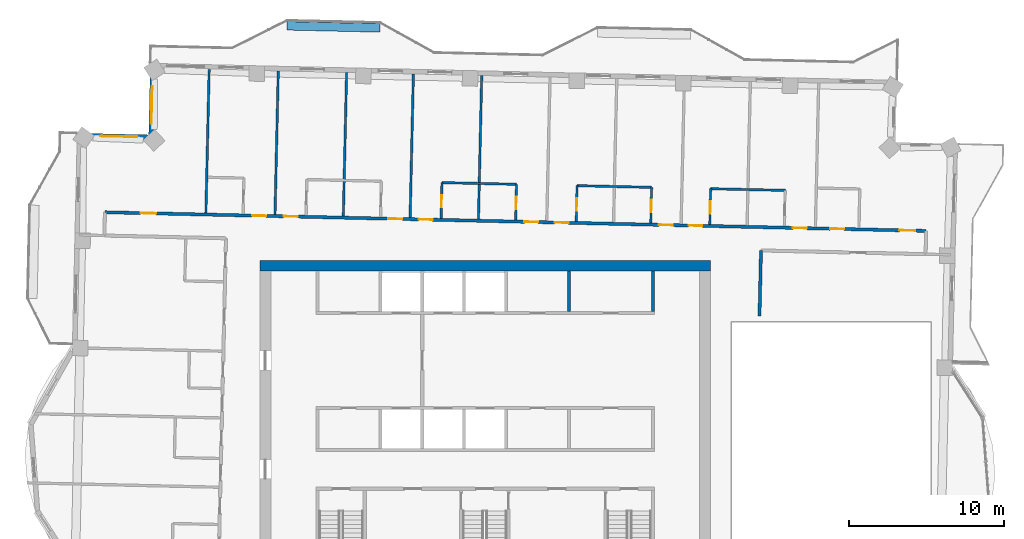
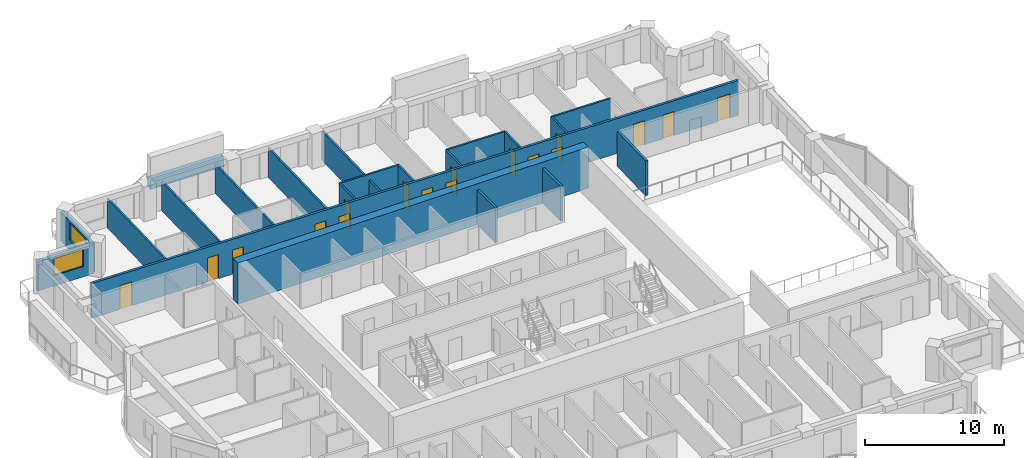
# One storey, part 11 of 17: 21 walls, 17 doors, 2 windows, 19 openings.
"""IFC4 building model written with IfcOpenShell, lengths in metres."""

from ifc_helpers import new_model, si_unit, direction, frame, frame_2d, origin, place, context, subcontext, project, spatial, rectangle, extrude, material, layer, layer_set, type_object, element, fill, save


model = new_model("IFC4")

# Units and contexts
model_context = context("Model", 3, precision=1e-05, world=origin(), true_north=direction((0.0, 1.0)))
body_context = subcontext(model_context, "Body", "Model", "MODEL_VIEW")
ifc_project = project(units=[si_unit("LENGTHUNIT", "METRE"), si_unit("AREAUNIT", "SQUARE_METRE"), si_unit("VOLUMEUNIT", "CUBIC_METRE"), si_unit("PLANEANGLEUNIT", "RADIAN"), si_unit("MASSUNIT", "GRAM", prefix="KILO")], contexts=[model_context])

# Site, building, storey
site_placement = place(None, origin())
site = spatial("IfcSite", under=ifc_project, at=site_placement, CompositionType="ELEMENT")
building_placement = place(site_placement, origin())
building = spatial("IfcBuilding", under=site, at=building_placement, Name="Mangrove Gate Tower", CompositionType="ELEMENT")
storey_placement = place(building_placement, frame((0.0, 0.0, 268.10009765625)))
storey = spatial("IfcBuildingStorey", under=building, at=storey_placement, Name="L68", CompositionType="ELEMENT", Elevation=268.10009765625)

# Walls
ifc_material_1 = material(Name="Concrete C32/40", Category="concrete")
ifc_layer_1 = layer(ifc_material_1, 0.199951171875)
ifc_layer_set_1 = layer_set([ifc_layer_1], Name="Core room wall 200 C32/40")
wall_type_1 = type_object("IfcWallType", Name="Core room wall 200 C32/40", PredefinedType="STANDARD", material=ifc_layer_set_1)
for number, where, z_axis, x_axis, name in (
    (1, (5.39990234375, 8.199951171875, 0.0), (0.0, 0.0, 1.0), (0.0, 1.0, 0.0), "WALL-L68-CORE-31"),
    (2, (10.800048828125, 8.199951171875, 0.0), (0.0, 0.0, 1.0), (0.0, 1.0, 0.0), "WALL-L68-CORE-32"),
):
    element("IfcWall", number, at=place(storey_placement, frame(where, z_axis=z_axis, x_axis=x_axis)), inside=storey, type_object=wall_type_1, Name=name, PredefinedType="STANDARD", context=body_context, shape_type="SweptSolid", body=[
        extrude(rectangle(XDim=2.60009765625, YDim=0.199951171875, at=frame_2d((1.300048828125, 0.0))), origin(), (0.0, 0.0, 1.0), 3.0498046875),
    ])
ifc_material_2 = material(Name="Concrete C50/60", Category="concrete")
ifc_layer_2 = layer(ifc_material_2, 0.699951171875)
ifc_layer_set_2 = layer_set([ifc_layer_2], Name="Core wall 700 C50/60")
wall_type_2 = type_object("IfcWallType", Name="Core wall 700 C50/60", PredefinedType="SHEAR", material=ifc_layer_set_2)
wall_1_placement = place(storey_placement, frame((-14.5, 11.14990234375, 0.0), z_axis=(0.0, 0.0, 1.0), x_axis=(1.0, 0.0, 0.0)))
element("IfcWall", 3, at=wall_1_placement, inside=storey, type_object=wall_type_2, Name="WALL-L68-CORE-2", PredefinedType="SHEAR", context=body_context, shape_type="SweptSolid", body=[
    extrude(rectangle(XDim=29.0, YDim=0.699951171875, at=frame_2d((14.5, 0.0))), origin(), (0.0, 0.0, 1.0), 3.599853515625),
])
ifc_material_3 = material(Name="Gypsum board on steel stud, EI 60", Category="steel")
ifc_layer_3 = layer(ifc_material_3, 0.199951171875)
ifc_layer_set_3 = layer_set([ifc_layer_3], Name="Corridor wall EI 60")
wall_type_3 = type_object("IfcWallType", Name="Corridor wall EI 60", PredefinedType="PARTITIONING", material=ifc_layer_set_3)
wall_2_placement = place(storey_placement, frame((17.660888671875, 7.904052734375, 0.0), z_axis=(0.0, 0.0, 1.0), x_axis=(0.022718785711, 0.999741895079, 0.0)))
element("IfcWall", 4, at=wall_2_placement, inside=storey, type_object=wall_type_3, Name="WALL-L68-047", PredefinedType="PARTITIONING", context=body_context, shape_type="SweptSolid", body=[
    extrude(rectangle(XDim=4.23388671875, YDim=0.199951171875, at=frame_2d((2.116943359375, 0.0))), origin(), (0.0, 0.0, 1.0), 3.0498046875),
])

# Wall, openings, doors
wall_3_placement = place(storey_placement, frame((-24.47412109375, 14.595947265625, 0.0), z_axis=(0.0, 0.0, 1.0), x_axis=(0.999742424031, -0.022695497208, 0.0)))
wall_3 = element("IfcWall", 5, at=wall_3_placement, inside=storey, type_object=wall_type_3, Name="WALL-L68-056", PredefinedType="PARTITIONING", context=body_context, shape_type="SweptSolid", body=[
    extrude(rectangle(XDim=52.871826171875, YDim=0.199951171875, at=frame_2d((26.43603515625, 0.0))), origin(), (0.0, 0.0, 1.0), 3.0498046875),
])
opening_1_placement = place(wall_3_placement, frame((51.160888671875, 0.0, 0.0)))
opening_1 = element("IfcOpeningElement", 6, at=opening_1_placement, cuts=wall_3, Name="Opening AD", PredefinedType="OPENING", context=body_context, shape_type="SweptSolid", body=[
    extrude(rectangle(XDim=1.0, YDim=2.10009765625, at=frame_2d((0.5, 1.050048828125))), frame((0.0, 0.10986328125, 0.0), z_axis=(0.0, -1.0, 0.0), x_axis=(1.0, 0.0, 0.0)), (0.0, 0.0, 1.0), 0.219970703125),
])
opening_2_placement = place(wall_3_placement, frame((46.699951171875, 0.0, 0.0)))
opening_2 = element("IfcOpeningElement", 7, at=opening_2_placement, cuts=wall_3, Name="Opening SD", PredefinedType="OPENING", context=body_context, shape_type="SweptSolid", body=[
    extrude(rectangle(XDim=0.89990234375, YDim=2.10009765625, at=frame_2d((0.449951171875, 1.050048828125))), frame((0.0, 0.10986328125, 0.0), z_axis=(0.0, -1.0, 0.0), x_axis=(1.0, 0.0, 0.0)), (0.0, 0.0, 1.0), 0.219970703125),
])
opening_3_placement = place(wall_3_placement, frame((44.300048828125, 0.0, 0.0)))
opening_3 = element("IfcOpeningElement", 8, at=opening_3_placement, cuts=wall_3, Name="Opening BD", PredefinedType="OPENING", context=body_context, shape_type="SweptSolid", body=[
    extrude(rectangle(XDim=0.89990234375, YDim=2.10009765625, at=frame_2d((0.449951171875, 1.050048828125))), frame((0.0, 0.10986328125, 0.0), z_axis=(0.0, -1.0, 0.0), x_axis=(1.0, 0.0, 0.0)), (0.0, 0.0, 1.0), 0.219970703125),
])
opening_4_placement = place(wall_3_placement, frame((37.574951171875, 0.0, 0.0)))
opening_4 = element("IfcOpeningElement", 9, at=opening_4_placement, cuts=wall_3, Name="Opening BD", PredefinedType="OPENING", context=body_context, shape_type="SweptSolid", body=[
    extrude(rectangle(XDim=0.89990234375, YDim=2.10009765625, at=frame_2d((0.449951171875, 1.050048828125))), frame((0.0, 0.10986328125, 0.0), z_axis=(0.0, -1.0, 0.0), x_axis=(1.0, 0.0, 0.0)), (0.0, 0.0, 1.0), 0.219970703125),
])
opening_5_placement = place(wall_3_placement, frame((35.675048828125, 0.0, 0.0)))
opening_5 = element("IfcOpeningElement", 10, at=opening_5_placement, cuts=wall_3, Name="Opening BD", PredefinedType="OPENING", context=body_context, shape_type="SweptSolid", body=[
    extrude(rectangle(XDim=0.89990234375, YDim=2.10009765625, at=frame_2d((0.449951171875, 1.050048828125))), frame((0.0, 0.10986328125, 0.0), z_axis=(0.0, -1.0, 0.0), x_axis=(1.0, 0.0, 0.0)), (0.0, 0.0, 1.0), 0.219970703125),
])
opening_6_placement = place(wall_3_placement, frame((28.949951171875, 0.0, 0.0)))
opening_6 = element("IfcOpeningElement", 11, at=opening_6_placement, cuts=wall_3, Name="Opening BD", PredefinedType="OPENING", context=body_context, shape_type="SweptSolid", body=[
    extrude(rectangle(XDim=0.89990234375, YDim=2.10009765625, at=frame_2d((0.449951171875, 1.050048828125))), frame((0.0, 0.10986328125, 0.0), z_axis=(0.0, -1.0, 0.0), x_axis=(1.0, 0.0, 0.0)), (0.0, 0.0, 1.0), 0.219970703125),
])
opening_7_placement = place(wall_3_placement, frame((27.0, 0.0, 0.0)))
opening_7 = element("IfcOpeningElement", 12, at=opening_7_placement, cuts=wall_3, Name="Opening BD", PredefinedType="OPENING", context=body_context, shape_type="SweptSolid", body=[
    extrude(rectangle(XDim=0.89990234375, YDim=2.10009765625, at=frame_2d((0.449951171875, 1.050048828125))), frame((0.0, 0.10986328125, 0.0), z_axis=(0.0, -1.0, 0.0), x_axis=(1.0, 0.0, 0.0)), (0.0, 0.0, 1.0), 0.219970703125),
])
opening_8_placement = place(wall_3_placement, frame((20.199951171875, 0.0, 0.0)))
opening_8 = element("IfcOpeningElement", 13, at=opening_8_placement, cuts=wall_3, Name="Opening BD", PredefinedType="OPENING", context=body_context, shape_type="SweptSolid", body=[
    extrude(rectangle(XDim=0.89990234375, YDim=2.10009765625, at=frame_2d((0.449951171875, 1.050048828125))), frame((0.0, 0.10986328125, 0.0), z_axis=(0.0, -1.0, 0.0), x_axis=(1.0, 0.0, 0.0)), (0.0, 0.0, 1.0), 0.219970703125),
])
opening_9_placement = place(wall_3_placement, frame((18.25, 0.0, 0.0)))
opening_9 = element("IfcOpeningElement", 14, at=opening_9_placement, cuts=wall_3, Name="Opening BD", PredefinedType="OPENING", context=body_context, shape_type="SweptSolid", body=[
    extrude(rectangle(XDim=0.89990234375, YDim=2.10009765625, at=frame_2d((0.449951171875, 1.050048828125))), frame((0.0, 0.10986328125, 0.0), z_axis=(0.0, -1.0, 0.0), x_axis=(1.0, 0.0, 0.0)), (0.0, 0.0, 1.0), 0.219970703125),
])
opening_10_placement = place(wall_3_placement, frame((11.5, 0.0, 0.0)))
opening_10 = element("IfcOpeningElement", 15, at=opening_10_placement, cuts=wall_3, Name="Opening BD", PredefinedType="OPENING", context=body_context, shape_type="SweptSolid", body=[
    extrude(rectangle(XDim=0.89990234375, YDim=2.10009765625, at=frame_2d((0.449951171875, 1.050048828125))), frame((0.0, 0.10986328125, 0.0), z_axis=(0.0, -1.0, 0.0), x_axis=(1.0, 0.0, 0.0)), (0.0, 0.0, 1.0), 0.219970703125),
])
opening_11_placement = place(wall_3_placement, frame((9.47509765625, 0.0, 0.0)))
opening_11 = element("IfcOpeningElement", 16, at=opening_11_placement, cuts=wall_3, Name="Opening BD", PredefinedType="OPENING", context=body_context, shape_type="SweptSolid", body=[
    extrude(rectangle(XDim=0.89990234375, YDim=2.10009765625, at=frame_2d((0.449951171875, 1.050048828125))), frame((0.0, 0.10986328125, 0.0), z_axis=(0.0, -1.0, 0.0), x_axis=(1.0, 0.0, 0.0)), (0.0, 0.0, 1.0), 0.219970703125),
])
opening_12_placement = place(wall_3_placement, frame((2.29296875, 0.0, 0.0)))
opening_12 = element("IfcOpeningElement", 17, at=opening_12_placement, cuts=wall_3, Name="Opening AD", PredefinedType="OPENING", context=body_context, shape_type="SweptSolid", body=[
    extrude(rectangle(XDim=1.0, YDim=2.10009765625, at=frame_2d((0.5, 1.050048828125))), frame((0.0, 0.10986328125, 0.0), z_axis=(0.0, -1.0, 0.0), x_axis=(1.0, 0.0, 0.0)), (0.0, 0.0, 1.0), 0.219970703125),
])
ifc_material_4 = material(Name="Timber door leaf", Category="wood")
door_type_1 = type_object("IfcDoorType", Name="Amenity door 1000", OperationType="SINGLE_SWING_LEFT", PredefinedType="DOOR", material=ifc_material_4)
door_1_placement = place(opening_1_placement, origin())
door_1 = element("IfcDoor", 18, at=door_1_placement, inside=storey, type_object=door_type_1, Name="DOOR-L68-LNG-c3a", OperationType="SINGLE_SWING_LEFT", OverallHeight=2.10009765625, OverallWidth=1.0, PredefinedType="DOOR", context=body_context, shape_type="SweptSolid", body=[
    extrude(rectangle(XDim=1.0, YDim=2.10009765625, at=frame_2d((0.5, 1.050048828125))), frame((0.0, 0.02490234375, 0.0), z_axis=(0.0, -1.0, 0.0), x_axis=(1.0, 0.0, 0.0)), (0.0, 0.0, 1.0), 0.050048828125),
])
fill(opening_1, door_1)
door_2_placement = place(opening_12_placement, origin())
door_2 = element("IfcDoor", 19, at=door_2_placement, inside=storey, type_object=door_type_1, Name="DOOR-L68-KIT-c5a", OperationType="SINGLE_SWING_RIGHT", OverallHeight=2.10009765625, OverallWidth=1.0, PredefinedType="DOOR", context=body_context, shape_type="SweptSolid", body=[
    extrude(rectangle(XDim=1.0, YDim=2.10009765625, at=frame_2d((0.5, 1.050048828125))), frame((0.0, 0.02490234375, 0.0), z_axis=(0.0, -1.0, 0.0), x_axis=(1.0, 0.0, 0.0)), (0.0, 0.0, 1.0), 0.050048828125),
])
fill(opening_12, door_2)
ifc_material_5 = material(Name="Timber door leaf", Category="wood")
door_type_2 = type_object("IfcDoorType", Name="Bedroom door 900", OperationType="SINGLE_SWING_LEFT", PredefinedType="DOOR", material=ifc_material_5)
door_3_placement = place(opening_3_placement, origin())
door_3 = element("IfcDoor", 20, at=door_3_placement, inside=storey, type_object=door_type_2, Name="DOOR-L68-BED-c309", OperationType="SINGLE_SWING_LEFT", OverallHeight=2.10009765625, OverallWidth=0.89990234375, PredefinedType="DOOR", context=body_context, shape_type="SweptSolid", body=[
    extrude(rectangle(XDim=0.89990234375, YDim=2.10009765625, at=frame_2d((0.449951171875, 1.050048828125))), frame((0.0, 0.02490234375, 0.0), z_axis=(0.0, -1.0, 0.0), x_axis=(1.0, 0.0, 0.0)), (0.0, 0.0, 1.0), 0.050048828125),
])
fill(opening_3, door_3)
door_4_placement = place(opening_4_placement, origin())
door_4 = element("IfcDoor", 21, at=door_4_placement, inside=storey, type_object=door_type_2, Name="DOOR-L68-BED-c310", OperationType="SINGLE_SWING_RIGHT", OverallHeight=2.10009765625, OverallWidth=0.89990234375, PredefinedType="DOOR", context=body_context, shape_type="SweptSolid", body=[
    extrude(rectangle(XDim=0.89990234375, YDim=2.10009765625, at=frame_2d((0.449951171875, 1.050048828125))), frame((0.0, 0.02490234375, 0.0), z_axis=(0.0, -1.0, 0.0), x_axis=(1.0, 0.0, 0.0)), (0.0, 0.0, 1.0), 0.050048828125),
])
fill(opening_4, door_4)
door_5_placement = place(opening_5_placement, origin())
door_5 = element("IfcDoor", 22, at=door_5_placement, inside=storey, type_object=door_type_2, Name="DOOR-L68-BED-c311", OperationType="SINGLE_SWING_LEFT", OverallHeight=2.10009765625, OverallWidth=0.89990234375, PredefinedType="DOOR", context=body_context, shape_type="SweptSolid", body=[
    extrude(rectangle(XDim=0.89990234375, YDim=2.10009765625, at=frame_2d((0.449951171875, 1.050048828125))), frame((0.0, 0.02490234375, 0.0), z_axis=(0.0, -1.0, 0.0), x_axis=(1.0, 0.0, 0.0)), (0.0, 0.0, 1.0), 0.050048828125),
])
fill(opening_5, door_5)
door_6_placement = place(opening_6_placement, origin())
door_6 = element("IfcDoor", 23, at=door_6_placement, inside=storey, type_object=door_type_2, Name="DOOR-L68-BED-c412", OperationType="SINGLE_SWING_RIGHT", OverallHeight=2.10009765625, OverallWidth=0.89990234375, PredefinedType="DOOR", context=body_context, shape_type="SweptSolid", body=[
    extrude(rectangle(XDim=0.89990234375, YDim=2.10009765625, at=frame_2d((0.449951171875, 1.050048828125))), frame((0.0, 0.02490234375, 0.0), z_axis=(0.0, -1.0, 0.0), x_axis=(1.0, 0.0, 0.0)), (0.0, 0.0, 1.0), 0.050048828125),
])
fill(opening_6, door_6)
door_7_placement = place(opening_7_placement, origin())
door_7 = element("IfcDoor", 24, at=door_7_placement, inside=storey, type_object=door_type_2, Name="DOOR-L68-BED-c413", OperationType="SINGLE_SWING_LEFT", OverallHeight=2.10009765625, OverallWidth=0.89990234375, PredefinedType="DOOR", context=body_context, shape_type="SweptSolid", body=[
    extrude(rectangle(XDim=0.89990234375, YDim=2.10009765625, at=frame_2d((0.449951171875, 1.050048828125))), frame((0.0, 0.02490234375, 0.0), z_axis=(0.0, -1.0, 0.0), x_axis=(1.0, 0.0, 0.0)), (0.0, 0.0, 1.0), 0.050048828125),
])
fill(opening_7, door_7)
door_8_placement = place(opening_8_placement, origin())
door_8 = element("IfcDoor", 25, at=door_8_placement, inside=storey, type_object=door_type_2, Name="DOOR-L68-BED-c414", OperationType="SINGLE_SWING_RIGHT", OverallHeight=2.10009765625, OverallWidth=0.89990234375, PredefinedType="DOOR", context=body_context, shape_type="SweptSolid", body=[
    extrude(rectangle(XDim=0.89990234375, YDim=2.10009765625, at=frame_2d((0.449951171875, 1.050048828125))), frame((0.0, 0.02490234375, 0.0), z_axis=(0.0, -1.0, 0.0), x_axis=(1.0, 0.0, 0.0)), (0.0, 0.0, 1.0), 0.050048828125),
])
fill(opening_8, door_8)
door_9_placement = place(opening_9_placement, origin())
door_9 = element("IfcDoor", 26, at=door_9_placement, inside=storey, type_object=door_type_2, Name="DOOR-L68-BED-c515", OperationType="SINGLE_SWING_LEFT", OverallHeight=2.10009765625, OverallWidth=0.89990234375, PredefinedType="DOOR", context=body_context, shape_type="SweptSolid", body=[
    extrude(rectangle(XDim=0.89990234375, YDim=2.10009765625, at=frame_2d((0.449951171875, 1.050048828125))), frame((0.0, 0.02490234375, 0.0), z_axis=(0.0, -1.0, 0.0), x_axis=(1.0, 0.0, 0.0)), (0.0, 0.0, 1.0), 0.050048828125),
])
fill(opening_9, door_9)
door_10_placement = place(opening_10_placement, origin())
door_10 = element("IfcDoor", 27, at=door_10_placement, inside=storey, type_object=door_type_2, Name="DOOR-L68-BED-c516", OperationType="SINGLE_SWING_RIGHT", OverallHeight=2.10009765625, OverallWidth=0.89990234375, PredefinedType="DOOR", context=body_context, shape_type="SweptSolid", body=[
    extrude(rectangle(XDim=0.89990234375, YDim=2.10009765625, at=frame_2d((0.449951171875, 1.050048828125))), frame((0.0, 0.02490234375, 0.0), z_axis=(0.0, -1.0, 0.0), x_axis=(1.0, 0.0, 0.0)), (0.0, 0.0, 1.0), 0.050048828125),
])
fill(opening_10, door_10)
door_11_placement = place(opening_11_placement, origin())
door_11 = element("IfcDoor", 28, at=door_11_placement, inside=storey, type_object=door_type_2, Name="DOOR-L68-BED-c517", OperationType="SINGLE_SWING_LEFT", OverallHeight=2.10009765625, OverallWidth=0.89990234375, PredefinedType="DOOR", context=body_context, shape_type="SweptSolid", body=[
    extrude(rectangle(XDim=0.89990234375, YDim=2.10009765625, at=frame_2d((0.449951171875, 1.050048828125))), frame((0.0, 0.02490234375, 0.0), z_axis=(0.0, -1.0, 0.0), x_axis=(1.0, 0.0, 0.0)), (0.0, 0.0, 1.0), 0.050048828125),
])
fill(opening_11, door_11)
ifc_material_6 = material(Name="Timber door leaf", Category="wood")
door_type_3 = type_object("IfcDoorType", Name="Service room door 900", OperationType="SINGLE_SWING_LEFT", PredefinedType="DOOR", material=ifc_material_6)
door_12_placement = place(opening_2_placement, origin())
door_12 = element("IfcDoor", 29, at=door_12_placement, inside=storey, type_object=door_type_3, Name="DOOR-L68-LDY-c3a", OperationType="SINGLE_SWING_RIGHT", OverallHeight=2.10009765625, OverallWidth=0.89990234375, PredefinedType="DOOR", context=body_context, shape_type="SweptSolid", body=[
    extrude(rectangle(XDim=0.89990234375, YDim=2.10009765625, at=frame_2d((0.449951171875, 1.050048828125))), frame((0.0, 0.02490234375, 0.0), z_axis=(0.0, -1.0, 0.0), x_axis=(1.0, 0.0, 0.0)), (0.0, 0.0, 1.0), 0.050048828125),
])
fill(opening_2, door_12)

# Wall, opening, window
ifc_material_7 = material(Name="Limestone", Category="masonry")
ifc_layer_4 = layer(ifc_material_7, 0.0400390625, Name="Limestone cladding")
ifc_material_8 = material(Name="Ventilated air gap")
ifc_layer_5 = layer(ifc_material_8, 0.0400390625, Name="Ventilated cavity")
ifc_material_9 = material(Name="Mineral wool insulation")
ifc_layer_6 = layer(ifc_material_9, 0.06005859375, Name="Insulation")
ifc_material_10 = material(Name="Breather membrane")
ifc_layer_7 = layer(ifc_material_10, 0.001953125, Name="Breather membrane")
ifc_material_11 = material(Name="Concrete C20/25 blockwork", Category="masonry")
ifc_layer_8 = layer(ifc_material_11, 0.14990234375, Name="Blockwork backing wall")
ifc_material_12 = material(Name="Gypsum plaster")
ifc_layer_9 = layer(ifc_material_12, 0.008056640625, Name="Internal plaster")
ifc_layer_set_4 = layer_set([ifc_layer_4, ifc_layer_5, ifc_layer_6, ifc_layer_7, ifc_layer_8, ifc_layer_9], Name="External wall 300 limestone cladding")
wall_type_4 = type_object("IfcWallType", Name="External wall 300 limestone cladding", PredefinedType="SOLIDWALL", material=ifc_layer_set_4)
wall_4_placement = place(storey_placement, frame((-21.408935546875, 24.029052734375, 0.0), z_axis=(0.0, 0.0, 1.0), x_axis=(-0.022820258049, -0.999739584003, 0.0)))
wall_4 = element("IfcWall", 30, at=wall_4_placement, inside=storey, type_object=wall_type_4, Name="WALL-L68-W6", PredefinedType="SOLIDWALL", context=body_context, shape_type="SweptSolid", body=[
    extrude(rectangle(XDim=4.600341796875, YDim=0.300048828125, at=frame_2d((2.30029296875, 0.0))), origin(), (0.0, 0.0, 1.0), 2.5498046875),
])
opening_13_placement = place(wall_4_placement, frame((1.327880859375, 0.0, 0.89990234375)))
opening_13 = element("IfcOpeningElement", 31, at=opening_13_placement, cuts=wall_4, Name="Opening W2", PredefinedType="OPENING", context=body_context, shape_type="SweptSolid", body=[
    extrude(rectangle(XDim=2.39990234375, YDim=1.5, at=frame_2d((1.199951171875, 0.75))), frame((0.0, 0.159912109375, 0.0), z_axis=(0.0, -1.0, 0.0), x_axis=(1.0, 0.0, 0.0)), (0.0, 0.0, 1.0), 0.320068359375),
])
ifc_material_13 = material(Name="Aluminium frame with double-glazed low-e glass", Category="aluminium")
window_type = type_object("IfcWindowType", Name="Corner room window 2400x1500", PartitioningType="DOUBLE_PANEL_VERTICAL", PredefinedType="WINDOW", material=ifc_material_13)
window_1_placement = place(opening_13_placement, origin())
window_1 = element("IfcWindow", 32, at=window_1_placement, inside=storey, type_object=window_type, Name="WIN-L68-W6-1", OverallHeight=1.5, OverallWidth=2.39990234375, PartitioningType="DOUBLE_PANEL_VERTICAL", PredefinedType="WINDOW", context=body_context, shape_type="SweptSolid", body=[
    extrude(rectangle(XDim=2.39990234375, YDim=1.5, at=frame_2d((1.199951171875, 0.75))), frame((0.0, 0.030029296875, 0.0), z_axis=(0.0, -1.0, 0.0), x_axis=(1.0, 0.0, 0.0)), (0.0, 0.0, 1.0), 0.06005859375),
])
fill(opening_13, window_1)

wall_5_placement = place(storey_placement, frame((-21.513916015625, 19.429931640625, 0.0), z_axis=(0.0, 0.0, 1.0), x_axis=(-0.999744404568, 0.02260808559, 0.0)))
wall_5 = element("IfcWall", 33, at=wall_5_placement, inside=storey, type_object=wall_type_4, Name="WALL-L68-N7", PredefinedType="SOLIDWALL", context=body_context, shape_type="SweptSolid", body=[
    extrude(rectangle(XDim=4.600341796875, YDim=0.300048828125, at=frame_2d((2.30029296875, 0.0))), origin(), (0.0, 0.0, 1.0), 2.5498046875),
])
opening_14_placement = place(wall_5_placement, frame((0.8720703125, 0.0, 0.89990234375)))
opening_14 = element("IfcOpeningElement", 34, at=opening_14_placement, cuts=wall_5, Name="Opening W2", PredefinedType="OPENING", context=body_context, shape_type="SweptSolid", body=[
    extrude(rectangle(XDim=2.39990234375, YDim=1.5, at=frame_2d((1.199951171875, 0.75))), frame((0.0, 0.159912109375, 0.0), z_axis=(0.0, -1.0, 0.0), x_axis=(1.0, 0.0, 0.0)), (0.0, 0.0, 1.0), 0.320068359375),
])
window_2_placement = place(opening_14_placement, origin())
window_2 = element("IfcWindow", 35, at=window_2_placement, inside=storey, type_object=window_type, Name="WIN-L68-N7-1", OverallHeight=1.5, OverallWidth=2.39990234375, PartitioningType="DOUBLE_PANEL_VERTICAL", PredefinedType="WINDOW", context=body_context, shape_type="SweptSolid", body=[
    extrude(rectangle(XDim=2.39990234375, YDim=1.5, at=frame_2d((1.199951171875, 0.75))), frame((0.0, 0.030029296875, 0.0), z_axis=(0.0, -1.0, 0.0), x_axis=(1.0, 0.0, 0.0)), (0.0, 0.0, 1.0), 0.06005859375),
])
fill(opening_14, window_2)

# Walls
ifc_material_14 = material(Name="Gypsum board on steel stud, EI 60", Category="steel")
ifc_layer_10 = layer(ifc_material_14, 0.14990234375)
ifc_layer_set_5 = layer_set([ifc_layer_10], Name="Party wall 150 EI 60")
wall_type_5 = type_object("IfcWallType", Name="Party wall 150 EI 60", PredefinedType="PARTITIONING", material=ifc_layer_set_5)
wall_6_placement = place(storey_placement, frame((-17.97802734375, 14.548095703125, 0.0), z_axis=(0.0, 0.0, 1.0), x_axis=(0.022698023584, 0.999742366675, 0.0)))
element("IfcWall", 36, at=wall_6_placement, inside=storey, type_object=wall_type_5, Name="WALL-L68-057", PredefinedType="PARTITIONING", context=body_context, shape_type="SweptSolid", body=[
    extrude(rectangle(XDim=9.250244140625, YDim=0.14990234375, at=frame_2d((4.625, 0.0))), origin(), (0.0, 0.0, 1.0), 2.5498046875),
])
wall_7_placement = place(storey_placement, frame((-13.529052734375, 14.447021484375, 0.0), z_axis=(0.0, 0.0, 1.0), x_axis=(0.022697424684, 0.999742380272, 0.0)))
element("IfcWall", 37, at=wall_7_placement, inside=storey, type_object=wall_type_5, Name="WALL-L68-059", PredefinedType="PARTITIONING", context=body_context, shape_type="SweptSolid", body=[
    extrude(rectangle(XDim=9.25048828125, YDim=0.14990234375, at=frame_2d((4.625244140625, 0.0))), origin(), (0.0, 0.0, 1.0), 2.5498046875),
])
wall_8_placement = place(storey_placement, frame((-9.1298828125, 14.347900390625, 0.0), z_axis=(0.0, 0.0, 1.0), x_axis=(0.022699820474, 0.999742325877, 0.0)))
element("IfcWall", 38, at=wall_8_placement, inside=storey, type_object=wall_type_5, Name="WALL-L68-061", PredefinedType="PARTITIONING", context=body_context, shape_type="SweptSolid", body=[
    extrude(rectangle(XDim=9.24951171875, YDim=0.14990234375, at=frame_2d((4.624755859375, 0.0))), origin(), (0.0, 0.0, 1.0), 2.5498046875),
])
wall_9_placement = place(storey_placement, frame((-4.8310546875, 14.25, 0.0), z_axis=(0.0, 0.0, 1.0), x_axis=(0.022697424684, 0.999742380272, 0.0)))
element("IfcWall", 39, at=wall_9_placement, inside=storey, type_object=wall_type_5, Name="WALL-L68-063", PredefinedType="PARTITIONING", context=body_context, shape_type="SweptSolid", body=[
    extrude(rectangle(XDim=9.25048828125, YDim=0.14990234375, at=frame_2d((4.625244140625, 0.0))), origin(), (0.0, 0.0, 1.0), 2.5498046875),
])

# Wall, opening, door
wall_10_placement = place(storey_placement, frame((-2.8310546875, 14.205078125, 0.0), z_axis=(0.0, 0.0, 1.0), x_axis=(0.022615284993, 0.999744241736, 0.0)))
wall_10 = element("IfcWall", 40, at=wall_10_placement, inside=storey, type_object=wall_type_5, Name="WALL-L68-064", PredefinedType="PARTITIONING", context=body_context, shape_type="SweptSolid", body=[
    extrude(rectangle(XDim=2.29931640625, YDim=0.14990234375, at=frame_2d((1.149658203125, 0.0))), origin(), (0.0, 0.0, 1.0), 3.0498046875),
])
opening_15_placement = place(wall_10_placement, frame((0.699951171875, 0.0, 0.0)))
opening_15 = element("IfcOpeningElement", 41, at=opening_15_placement, cuts=wall_10, Name="Opening ED", PredefinedType="OPENING", context=body_context, shape_type="SweptSolid", body=[
    extrude(rectangle(XDim=0.800048828125, YDim=2.10009765625, at=frame_2d((0.39990234375, 1.050048828125))), frame((0.0, 0.0849609375, 0.0), z_axis=(0.0, -1.0, 0.0), x_axis=(1.0, 0.0, 0.0)), (0.0, 0.0, 1.0), 0.169921875),
])
ifc_material_15 = material(Name="Timber door leaf", Category="wood")
door_type_4 = type_object("IfcDoorType", Name="En-suite door 800", OperationType="SINGLE_SWING_LEFT", PredefinedType="DOOR", material=ifc_material_15)
door_13_placement = place(opening_15_placement, origin())
door_13 = element("IfcDoor", 42, at=door_13_placement, inside=storey, type_object=door_type_4, Name="DOOR-L68-ENS-c414", OperationType="SINGLE_SWING_RIGHT", OverallHeight=2.10009765625, OverallWidth=0.800048828125, PredefinedType="DOOR", context=body_context, shape_type="SweptSolid", body=[
    extrude(rectangle(XDim=0.800048828125, YDim=2.10009765625, at=frame_2d((0.39990234375, 1.050048828125))), frame((0.0, 0.02490234375, 0.0), z_axis=(0.0, -1.0, 0.0), x_axis=(1.0, 0.0, 0.0)), (0.0, 0.0, 1.0), 0.050048828125),
])
fill(opening_15, door_13)

# Wall
wall_11_placement = place(storey_placement, frame((-0.431884765625, 14.14990234375, 0.0), z_axis=(0.0, 0.0, 1.0), x_axis=(0.022697424684, 0.999742380272, 0.0)))
element("IfcWall", 43, at=wall_11_placement, inside=storey, type_object=wall_type_5, Name="WALL-L68-065", PredefinedType="PARTITIONING", context=body_context, shape_type="SweptSolid", body=[
    extrude(rectangle(XDim=9.25048828125, YDim=0.14990234375, at=frame_2d((4.625244140625, 0.0))), origin(), (0.0, 0.0, 1.0), 2.5498046875),
])

# Wall, opening, door
wall_12_placement = place(storey_placement, frame((1.967041015625, 14.095947265625, 0.0), z_axis=(0.0, 0.0, 1.0), x_axis=(0.023037316498, 0.999734605807, 0.0)))
wall_12 = element("IfcWall", 44, at=wall_12_placement, inside=storey, type_object=wall_type_5, Name="WALL-L68-066", PredefinedType="PARTITIONING", context=body_context, shape_type="SweptSolid", body=[
    extrude(rectangle(XDim=2.299560546875, YDim=0.14990234375, at=frame_2d((1.14990234375, 0.0))), origin(), (0.0, 0.0, 1.0), 3.0498046875),
])
opening_16_placement = place(wall_12_placement, frame((0.699951171875, 0.0, 0.0)))
opening_16 = element("IfcOpeningElement", 45, at=opening_16_placement, cuts=wall_12, Name="Opening ED", PredefinedType="OPENING", context=body_context, shape_type="SweptSolid", body=[
    extrude(rectangle(XDim=0.800048828125, YDim=2.10009765625, at=frame_2d((0.39990234375, 1.050048828125))), frame((0.0, 0.0849609375, 0.0), z_axis=(0.0, -1.0, 0.0), x_axis=(1.0, 0.0, 0.0)), (0.0, 0.0, 1.0), 0.169921875),
])
door_14_placement = place(opening_16_placement, origin())
door_14 = element("IfcDoor", 46, at=door_14_placement, inside=storey, type_object=door_type_4, Name="DOOR-L68-ENS-c413", OperationType="SINGLE_SWING_LEFT", OverallHeight=2.10009765625, OverallWidth=0.800048828125, PredefinedType="DOOR", context=body_context, shape_type="SweptSolid", body=[
    extrude(rectangle(XDim=0.800048828125, YDim=2.10009765625, at=frame_2d((0.39990234375, 1.050048828125))), frame((0.0, 0.02490234375, 0.0), z_axis=(0.0, -1.0, 0.0), x_axis=(1.0, 0.0, 0.0)), (0.0, 0.0, 1.0), 0.050048828125),
])
fill(opening_16, door_14)

wall_13_placement = place(storey_placement, frame((5.865966796875, 14.007080078125, 0.0), z_axis=(0.0, 0.0, 1.0), x_axis=(0.022605686808, 0.999744458811, 0.0)))
wall_13 = element("IfcWall", 47, at=wall_13_placement, inside=storey, type_object=wall_type_5, Name="WALL-L68-068", PredefinedType="PARTITIONING", context=body_context, shape_type="SweptSolid", body=[
    extrude(rectangle(XDim=2.30029296875, YDim=0.14990234375, at=frame_2d((1.150146484375, 0.0))), origin(), (0.0, 0.0, 1.0), 3.0498046875),
])
opening_17_placement = place(wall_13_placement, frame((0.699951171875, 0.0, 0.0)))
opening_17 = element("IfcOpeningElement", 48, at=opening_17_placement, cuts=wall_13, Name="Opening ED", PredefinedType="OPENING", context=body_context, shape_type="SweptSolid", body=[
    extrude(rectangle(XDim=0.800048828125, YDim=2.10009765625, at=frame_2d((0.39990234375, 1.050048828125))), frame((0.0, 0.0849609375, 0.0), z_axis=(0.0, -1.0, 0.0), x_axis=(1.0, 0.0, 0.0)), (0.0, 0.0, 1.0), 0.169921875),
])
door_15_placement = place(opening_17_placement, origin())
door_15 = element("IfcDoor", 49, at=door_15_placement, inside=storey, type_object=door_type_4, Name="DOOR-L68-ENS-c412", OperationType="SINGLE_SWING_RIGHT", OverallHeight=2.10009765625, OverallWidth=0.800048828125, PredefinedType="DOOR", context=body_context, shape_type="SweptSolid", body=[
    extrude(rectangle(XDim=0.800048828125, YDim=2.10009765625, at=frame_2d((0.39990234375, 1.050048828125))), frame((0.0, 0.02490234375, 0.0), z_axis=(0.0, -1.0, 0.0), x_axis=(1.0, 0.0, 0.0)), (0.0, 0.0, 1.0), 0.050048828125),
])
fill(opening_17, door_15)

wall_14_placement = place(storey_placement, frame((10.6650390625, 13.89794921875, 0.0), z_axis=(0.0, 0.0, 1.0), x_axis=(0.022603288534, 0.999744513037, 0.0)))
wall_14 = element("IfcWall", 50, at=wall_14_placement, inside=storey, type_object=wall_type_5, Name="WALL-L68-070", PredefinedType="PARTITIONING", context=body_context, shape_type="SweptSolid", body=[
    extrude(rectangle(XDim=2.300537109375, YDim=0.14990234375, at=frame_2d((1.150390625, 0.0))), origin(), (0.0, 0.0, 1.0), 3.0498046875),
])
opening_18_placement = place(wall_14_placement, frame((0.699951171875, 0.0, 0.0)))
opening_18 = element("IfcOpeningElement", 51, at=opening_18_placement, cuts=wall_14, Name="Opening ED", PredefinedType="OPENING", context=body_context, shape_type="SweptSolid", body=[
    extrude(rectangle(XDim=0.800048828125, YDim=2.10009765625, at=frame_2d((0.39990234375, 1.050048828125))), frame((0.0, 0.0849609375, 0.0), z_axis=(0.0, -1.0, 0.0), x_axis=(1.0, 0.0, 0.0)), (0.0, 0.0, 1.0), 0.169921875),
])
door_16_placement = place(opening_18_placement, origin())
door_16 = element("IfcDoor", 52, at=door_16_placement, inside=storey, type_object=door_type_4, Name="DOOR-L68-ENS-c311", OperationType="SINGLE_SWING_LEFT", OverallHeight=2.10009765625, OverallWidth=0.800048828125, PredefinedType="DOOR", context=body_context, shape_type="SweptSolid", body=[
    extrude(rectangle(XDim=0.800048828125, YDim=2.10009765625, at=frame_2d((0.39990234375, 1.050048828125))), frame((0.0, 0.02490234375, 0.0), z_axis=(0.0, -1.0, 0.0), x_axis=(1.0, 0.0, 0.0)), (0.0, 0.0, 1.0), 0.050048828125),
])
fill(opening_18, door_16)

wall_15_placement = place(storey_placement, frame((14.464111328125, 13.81201171875, 0.0), z_axis=(0.0, 0.0, 1.0), x_axis=(0.022603288534, 0.999744513037, 0.0)))
wall_15 = element("IfcWall", 53, at=wall_15_placement, inside=storey, type_object=wall_type_5, Name="WALL-L68-072", PredefinedType="PARTITIONING", context=body_context, shape_type="SweptSolid", body=[
    extrude(rectangle(XDim=2.300537109375, YDim=0.14990234375, at=frame_2d((1.150390625, 0.0))), origin(), (0.0, 0.0, 1.0), 3.0498046875),
])
opening_19_placement = place(wall_15_placement, frame((0.699951171875, 0.0, 0.0)))
opening_19 = element("IfcOpeningElement", 54, at=opening_19_placement, cuts=wall_15, Name="Opening ED", PredefinedType="OPENING", context=body_context, shape_type="SweptSolid", body=[
    extrude(rectangle(XDim=0.800048828125, YDim=2.10009765625, at=frame_2d((0.39990234375, 1.050048828125))), frame((0.0, 0.0849609375, 0.0), z_axis=(0.0, -1.0, 0.0), x_axis=(1.0, 0.0, 0.0)), (0.0, 0.0, 1.0), 0.169921875),
])
door_17_placement = place(opening_19_placement, origin())
door_17 = element("IfcDoor", 55, at=door_17_placement, inside=storey, type_object=door_type_4, Name="DOOR-L68-ENS-c310", OperationType="SINGLE_SWING_RIGHT", OverallHeight=2.10009765625, OverallWidth=0.800048828125, PredefinedType="DOOR", context=body_context, shape_type="SweptSolid", body=[
    extrude(rectangle(XDim=0.800048828125, YDim=2.10009765625, at=frame_2d((0.39990234375, 1.050048828125))), frame((0.0, 0.02490234375, 0.0), z_axis=(0.0, -1.0, 0.0), x_axis=(1.0, 0.0, 0.0)), (0.0, 0.0, 1.0), 0.050048828125),
])
fill(opening_19, door_17)

# Walls
for number, where, z_axis, x_axis, name in (
    (56, (-2.77490234375, 16.50390625, 0.0), (0.0, 0.0, 1.0), (0.999742675121, -0.022684433919, 0.0), "WALL-L68-079"),
    (57, (5.922119140625, 16.306884765625, 0.0), (0.0, 0.0, 1.0), (0.999742675121, -0.022684433919, 0.0), "WALL-L68-080"),
):
    element("IfcWall", number, at=place(storey_placement, frame(where, z_axis=z_axis, x_axis=x_axis)), inside=storey, type_object=wall_type_5, Name=name, PredefinedType="PARTITIONING", context=body_context, shape_type="SweptSolid", body=[
        extrude(rectangle(XDim=4.800048828125, YDim=0.14990234375, at=frame_2d((2.39990234375, 0.0))), origin(), (0.0, 0.0, 1.0), 3.0498046875),
    ])
wall_16_placement = place(storey_placement, frame((14.52001953125, 16.111083984375, 0.0), z_axis=(0.0, 0.0, 1.0), x_axis=(0.999746149754, -0.022530780096, 0.0)))
element("IfcWall", 58, at=wall_16_placement, inside=storey, type_object=wall_type_5, Name="WALL-L68-081", PredefinedType="PARTITIONING", context=body_context, shape_type="SweptSolid", body=[
    extrude(rectangle(XDim=4.80029296875, YDim=0.14990234375, at=frame_2d((2.400146484375, 0.0))), origin(), (0.0, 0.0, 1.0), 3.0498046875),
])
ifc_material_16 = material(Name="Concrete C32/40", Category="concrete")
ifc_layer_11 = layer(ifc_material_16, 0.199951171875, Name="Planter trough wall")
ifc_material_17 = material(Name="Bituminous waterproofing membrane")
ifc_layer_12 = layer(ifc_material_17, 0.0048828125, Name="Waterproofing")
ifc_material_18 = material(Name="Drainage board and gravel")
ifc_layer_13 = layer(ifc_material_18, 0.044921875, Name="Drainage layer")
ifc_material_19 = material(Name="Planting soil")
ifc_layer_14 = layer(ifc_material_19, 0.300048828125, Name="Growing medium")
ifc_layer_set_6 = layer_set([ifc_layer_11, ifc_layer_12, ifc_layer_13, ifc_layer_14], Name="Planter wall 550 C32/40")
wall_type_6 = type_object("IfcWallType", Name="Planter wall 550 C32/40", PredefinedType="USERDEFINED", material=ifc_layer_set_6)
wall_17_placement = place(storey_placement, frame((-12.762939453125, 26.597900390625, 0.0), z_axis=(0.0, 0.0, 1.0), x_axis=(0.999743178102, -0.022662255828, 0.0)))
element("IfcWall", 59, at=wall_17_placement, inside=storey, type_object=wall_type_6, Name="PLANTER L68 N1.1", ObjectType="PLANTER", PredefinedType="USERDEFINED", context=body_context, shape_type="SweptSolid", body=[
    extrude(rectangle(XDim=6.00048828125, YDim=0.550048828125, at=frame_2d((3.000244140625, 0.0))), origin(), (0.0, 0.0, 1.0), 0.7998046875),
])

save(model, "model.ifc")
